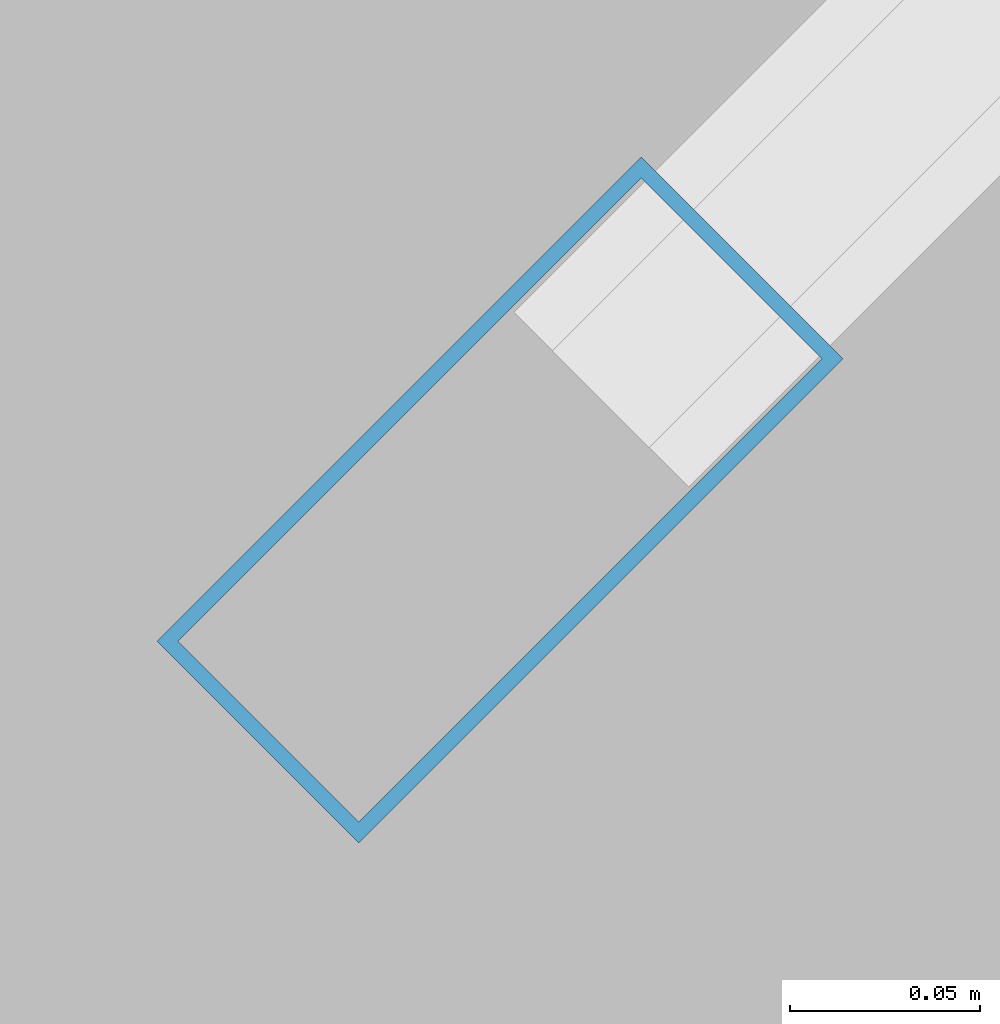
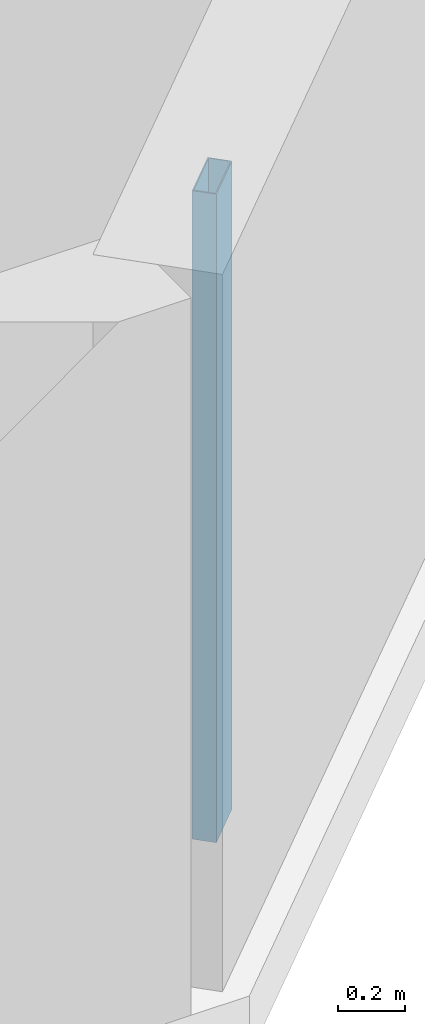
# One storey, part 4 of 25: 1 member, 1 element without a shape of its own.
"""IFC4 building model written with IfcOpenShell, lengths in metres."""

from ifc_helpers import new_model, si_unit, direction, frame, origin, origin_2d, place, context, subcontext, project, spatial, hollow_rectangle, extrude, material, layer, layer_set, material_profile, profile_set, type_object, element, aggregate, save


model = new_model("IFC4")

# Units and contexts
model_context = context("Model", 3, precision=1e-05, world=origin(), true_north=direction((0.0, 1.0)))
body_context = subcontext(model_context, "Body", "Model", "MODEL_VIEW")
ifc_project = project(units=[si_unit("LENGTHUNIT", "METRE"), si_unit("AREAUNIT", "SQUARE_METRE"), si_unit("VOLUMEUNIT", "CUBIC_METRE"), si_unit("PLANEANGLEUNIT", "RADIAN"), si_unit("MASSUNIT", "GRAM", prefix="KILO")], contexts=[model_context])

# Site, building, storey
site_placement = place(None, origin())
site = spatial("IfcSite", under=ifc_project, at=site_placement, CompositionType="ELEMENT")
building_placement = place(site_placement, origin())
building = spatial("IfcBuilding", under=site, at=building_placement, Name="Qiaolan Cultural Towers", CompositionType="ELEMENT")
storey_placement = place(building_placement, frame((0.0, 0.0, 202.39990234375)))
storey = spatial("IfcBuildingStorey", under=building, at=storey_placement, Name="L54", CompositionType="ELEMENT", Elevation=202.39990234375)

# Curtain wall, member
ifc_material_1 = material(Name="Unitized Anodized Aluminium Curtain Wall System", Category="aluminium")
ifc_layer = layer(ifc_material_1, 0.199951171875)
ifc_layer_set = layer_set([ifc_layer], Name="Unitized Anodized Aluminium Curtain Wall System")
curtain_wall_type = type_object("IfcCurtainWallType", Name="CWS-05", PredefinedType="NOTDEFINED", material=ifc_layer_set)
curtain_wall_placement = place(storey_placement, origin())
curtain_wall = element("IfcCurtainWall", 1, at=curtain_wall_placement, inside=storey, type_object=curtain_wall_type, Name="L54 T1 Chamfer Wind-Corner Feature Curtain Wall 2", PredefinedType="NOTDEFINED")
ifc_material_2 = material(Name="Extruded Aluminium 6063-T6", Category="aluminium")
ifc_material_profile = material_profile(ifc_material_2, hollow_rectangle(XDim=0.074951171875, YDim=0.179931640625, WallThickness=0.00390625, at=origin_2d()), Name="CWM-180x75x4")
ifc_profile_set = profile_set([ifc_material_profile], Name="Extruded Aluminium 6063-T6")
member_type = type_object("IfcMemberType", Name="CWS-05-MUL", PredefinedType="MULLION", material=ifc_profile_set)
member_placement = place(storey_placement, frame((44.842529296875, 8.642578125, 0.150146484375), z_axis=(0.0, 0.0, 1.0), x_axis=(0.707106781187, -0.707106781187, 0.0)))
member = element("IfcMember", 2, at=member_placement, type_object=member_type, Name="CW-5 mullion 2", PredefinedType="MULLION", context=body_context, shape_type="SweptSolid", body=[
    extrude(hollow_rectangle(XDim=0.074951171875, YDim=0.179931640625, WallThickness=0.00390625, at=origin_2d()), origin(), (0.0, 0.0, 1.0), 2.35986328125),
])
aggregate(curtain_wall, [member])

save(model, "model.ifc")
